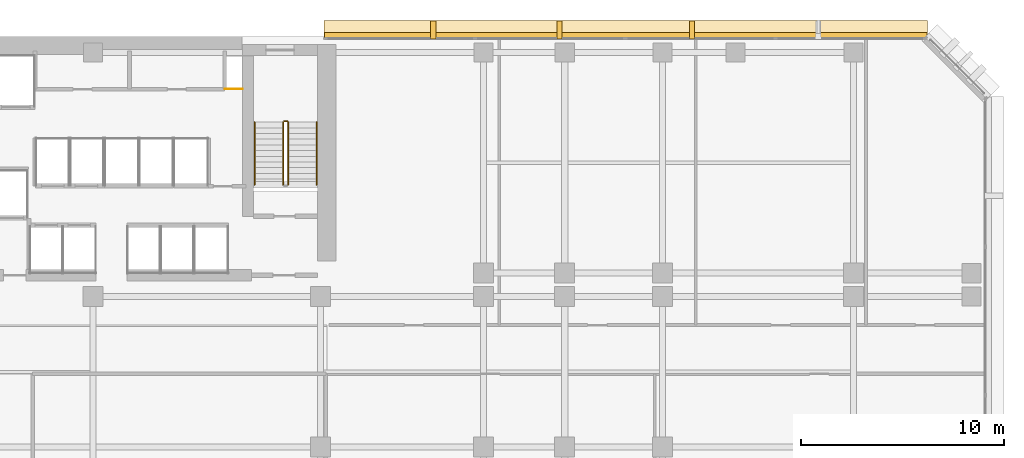
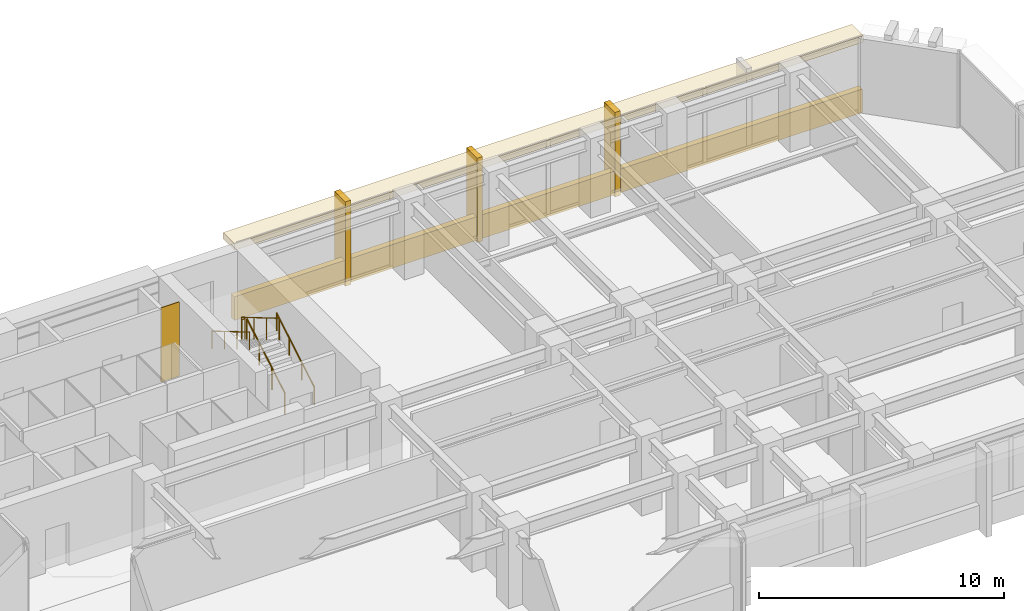
# One storey, part 12 of 13: 6 coverings, 5 railings.
"""IFC4 building model written with IfcOpenShell, lengths in metres."""

from ifc_helpers import new_model, si_unit, direction, frame, origin, origin_2d, place, context, subcontext, project, spatial, polyline, rectangle, circle, outline, extrude, material, layer, layer_set, type_object, element, save


model = new_model("IFC4")

# Units and contexts
model_context = context("Model", 3, precision=1e-05, world=origin(), true_north=direction((0.0, 1.0)))
body_context = subcontext(model_context, "Body", "Model", "MODEL_VIEW")
ifc_project = project(units=[si_unit("LENGTHUNIT", "METRE"), si_unit("AREAUNIT", "SQUARE_METRE"), si_unit("VOLUMEUNIT", "CUBIC_METRE"), si_unit("PLANEANGLEUNIT", "RADIAN"), si_unit("MASSUNIT", "GRAM", prefix="KILO")], contexts=[model_context])

# Site, building, storey
site_placement = place(None, origin())
site = spatial("IfcSite", under=ifc_project, at=site_placement, CompositionType="ELEMENT")
building_placement = place(site_placement, origin())
building = spatial("IfcBuilding", under=site, at=building_placement, Name="Kefirva Bronze Tower", CompositionType="ELEMENT")
storey_placement = place(building_placement, frame((0.0, 0.0, 46.199951171875)))
storey = spatial("IfcBuildingStorey", under=building, at=storey_placement, Name="L10", CompositionType="ELEMENT", Elevation=46.199951171875)

# Coverings
ifc_material_1 = material(Name="Bronze anodised aluminium", Category="aluminium")
ifc_layer_1 = layer(ifc_material_1, 0.02001953125, Name="Bronze anodised aluminium")
ifc_layer_set_1 = layer_set([ifc_layer_1], Name="Bronze anodised aluminium")
covering_type_1 = type_object("IfcCoveringType", Name="Anodised Bronze Spandrel Cladding 20mm", PredefinedType="CLADDING", material=ifc_layer_set_1)
covering_1_placement = place(storey_placement, frame((38.202392578125, 46.0400390625, -0.16015625), z_axis=(0.0, 0.0, 1.0), x_axis=(-1.0, 0.0, 0.0)))
element("IfcCovering", 1, at=covering_1_placement, inside=storey, type_object=covering_type_1, Name="L10 Streamline Horizontal Spandrel Band 8", PredefinedType="CLADDING", context=body_context, shape_type="SweptSolid", body=[
    extrude(rectangle(XDim=29.635009765625, YDim=0.280029296875, at=origin_2d()), origin(), (0.0, 0.0, 1.0), 1.179931640625),
])
covering_2_placement = place(storey_placement, origin())
element("IfcCovering", 2, at=covering_2_placement, inside=storey, type_object=covering_type_1, Name="L10 Core MEP Riser Shaft Liner South", PredefinedType="CLADDING", context=body_context, shape_type="SweptSolid", body=[
    extrude(outline(polyline([(18.47998046875, 43.39990234375), (19.360107421875, 43.39990234375), (19.360107421875, 43.429931640625), (18.47998046875, 43.429931640625), (18.47998046875, 43.39990234375)])), origin(), (0.0, 0.0, 1.0), 3.7099609375),
])

# Railings
ifc_material_2 = material(Name="Stainless steel 316", Category="steel")
railing_type_1 = type_object("IfcRailingType", Name="Interior Stair Guardrail 1100mm", PredefinedType="GUARDRAIL", material=ifc_material_2)
railing_1_placement = place(storey_placement, frame((21.60009765625, 38.699951171875, 0.1650390625)))
element("IfcRailing", 3, at=railing_1_placement, inside=storey, type_object=railing_type_1, Name="L10 ST-2 stair guard 1", PredefinedType="GUARDRAIL", context=body_context, shape_type="SweptSolid", body=[
    extrude(circle(Radius=0.02392578125, at=origin_2d()), frame((0.0, 0.0, 1.076171875), z_axis=(0.0, 0.861551262678, 0.507670583921), x_axis=(-1.0, 0.0, 0.0)), (0.0, 0.0, 1.0), 3.574951171875),
    extrude(circle(Radius=0.02099609375, at=origin_2d()), origin(), (0.0, 0.0, 1.0), 1.052001953125),
    extrude(circle(Radius=0.02099609375, at=origin_2d()), frame((0.0, 1.026611328125, 0.60498046875)), (0.0, 0.0, 1.0), 1.052001953125),
    extrude(circle(Radius=0.02099609375, at=origin_2d()), frame((0.0, 2.053466796875, 1.2099609375)), (0.0, 0.0, 1.0), 1.052001953125),
    extrude(circle(Radius=0.02099609375, at=origin_2d()), frame((0.0, 3.080078125, 1.81494140625)), (0.0, 0.0, 1.0), 1.052001953125),
])
railing_2_placement = place(storey_placement, frame((21.550048828125, 41.830078125, 1.97998046875)))
element("IfcRailing", 4, at=railing_2_placement, inside=storey, type_object=railing_type_1, Name="L10 ST-2 stair guard 2", PredefinedType="GUARDRAIL", context=body_context, shape_type="SweptSolid", body=[
    extrude(circle(Radius=0.02392578125, at=origin_2d()), frame((0.0, 0.0, 1.076171875), z_axis=(-1.0, 0.0, 0.0), x_axis=(0.0, -1.0, 0.0)), (0.0, 0.0, 1.0), 0.150146484375),
    extrude(circle(Radius=0.02099609375, at=origin_2d()), origin(), (0.0, 0.0, 1.0), 1.052001953125),
    extrude(circle(Radius=0.02099609375, at=origin_2d()), frame((-0.150146484375, 0.0, 0.0)), (0.0, 0.0, 1.0), 1.052001953125),
])
railing_3_placement = place(storey_placement, frame((21.35009765625, 41.780029296875, 2.14501953125)))
element("IfcRailing", 5, at=railing_3_placement, inside=storey, type_object=railing_type_1, Name="L10 ST-2 stair guard 3", PredefinedType="GUARDRAIL", context=body_context, shape_type="SweptSolid", body=[
    extrude(circle(Radius=0.02392578125, at=origin_2d()), frame((0.0, 0.0, 1.076171875), z_axis=(0.0, -0.861551262678, 0.507670583921), x_axis=(1.0, 0.0, 0.0)), (0.0, 0.0, 1.0), 3.574951171875),
    extrude(circle(Radius=0.02099609375, at=origin_2d()), origin(), (0.0, 0.0, 1.0), 1.052001953125),
    extrude(circle(Radius=0.02099609375, at=origin_2d()), frame((0.0, -1.026611328125, 0.60498046875)), (0.0, 0.0, 1.0), 1.052001953125),
    extrude(circle(Radius=0.02099609375, at=origin_2d()), frame((0.0, -2.053466796875, 1.2099609375)), (0.0, 0.0, 1.0), 1.052001953125),
    extrude(circle(Radius=0.02099609375, at=origin_2d()), frame((0.0, -3.080078125, 1.81494140625)), (0.0, 0.0, 1.0), 1.052001953125),
])
railing_type_2 = type_object("IfcRailingType", Name="Stair Pitch Handrail 900mm", PredefinedType="HANDRAIL", material=ifc_material_2)
railing_4_placement = place(storey_placement, frame((23.0, 38.699951171875, 0.1650390625)))
element("IfcRailing", 6, at=railing_4_placement, inside=storey, type_object=railing_type_2, Name="L10 ST-2 stair handrail 1", PredefinedType="HANDRAIL", context=body_context, shape_type="SweptSolid", body=[
    extrude(circle(Radius=0.02392578125, at=origin_2d()), frame((0.0, 0.0, 0.8759765625), z_axis=(0.0, 0.861551262678, 0.507670583921), x_axis=(-1.0, 0.0, 0.0)), (0.0, 0.0, 1.0), 3.574951171875),
    extrude(circle(Radius=0.02099609375, at=origin_2d()), origin(), (0.0, 0.0, 1.0), 0.851806640625),
    extrude(circle(Radius=0.02099609375, at=origin_2d()), frame((0.0, 1.026611328125, 0.60498046875)), (0.0, 0.0, 1.0), 0.851806640625),
    extrude(circle(Radius=0.02099609375, at=origin_2d()), frame((0.0, 2.053466796875, 1.2099609375)), (0.0, 0.0, 1.0), 0.851806640625),
    extrude(circle(Radius=0.02099609375, at=origin_2d()), frame((0.0, 3.080078125, 1.81494140625)), (0.0, 0.0, 1.0), 0.851806640625),
])
railing_5_placement = place(storey_placement, frame((19.949951171875, 41.780029296875, 2.14501953125)))
element("IfcRailing", 7, at=railing_5_placement, inside=storey, type_object=railing_type_2, Name="L10 ST-2 stair handrail 2", PredefinedType="HANDRAIL", context=body_context, shape_type="SweptSolid", body=[
    extrude(circle(Radius=0.02392578125, at=origin_2d()), frame((0.0, 0.0, 0.8759765625), z_axis=(0.0, -0.861551262678, 0.507670583921), x_axis=(1.0, 0.0, 0.0)), (0.0, 0.0, 1.0), 3.574951171875),
    extrude(circle(Radius=0.02099609375, at=origin_2d()), origin(), (0.0, 0.0, 1.0), 0.851806640625),
    extrude(circle(Radius=0.02099609375, at=origin_2d()), frame((0.0, -1.026611328125, 0.60498046875)), (0.0, 0.0, 1.0), 0.851806640625),
    extrude(circle(Radius=0.02099609375, at=origin_2d()), frame((0.0, -2.053466796875, 1.2099609375)), (0.0, 0.0, 1.0), 0.851806640625),
    extrude(circle(Radius=0.02099609375, at=origin_2d()), frame((0.0, -3.080078125, 1.81494140625)), (0.0, 0.0, 1.0), 0.851806640625),
])

# Coverings
ifc_layer_2 = layer(ifc_material_1, 0.179931640625, Name="Bronze anodised aluminium")
ifc_layer_set_2 = layer_set([ifc_layer_2], Name="Bronze anodised aluminium")
covering_type_2 = type_object("IfcCoveringType", Name="Streamline Bronze Sunshade Eyebrow Cladding 180mm", PredefinedType="CLADDING", material=ifc_layer_set_2)
covering_3_placement = place(storey_placement, frame((38.202392578125, 46.31005859375, 3.39013671875), z_axis=(0.0, 0.0, 1.0), x_axis=(-1.0, 0.0, 0.0)))
element("IfcCovering", 8, at=covering_3_placement, inside=storey, type_object=covering_type_2, Name="L10 Streamline Bronze Sunshade Eyebrow 8", PredefinedType="CLADDING", context=body_context, shape_type="SweptSolid", body=[
    extrude(rectangle(XDim=29.675048828125, YDim=0.93994140625, at=origin_2d()), origin(), (0.0, 0.0, 1.0), 0.320068359375),
])
ifc_layer_3 = layer(ifc_material_1, 0.260009765625, Name="Bronze anodised aluminium")
ifc_layer_set_3 = layer_set([ifc_layer_3], Name="Bronze anodised aluminium")
covering_type_3 = type_object("IfcCoveringType", Name="Unbroken Bronze Buttress Fin Cladding 260mm", PredefinedType="CLADDING", material=ifc_layer_set_3)
for number, where, z_axis, x_axis, name in (
    (9, (41.4580078125, 46.300048828125, -0.25), (0.0, 0.0, 1.0), (-1.0, 0.0, 0.0), "L10 Unbroken Vertical Bronze Rib Fin 20"),
    (10, (34.947021484375, 46.300048828125, -0.25), (0.0, 0.0, 1.0), (-1.0, 0.0, 0.0), "L10 Unbroken Vertical Bronze Rib Fin 21"),
    (11, (28.732177734375, 46.300048828125, -0.25), (0.0, 0.0, 1.0), (-1.0, 0.0, 0.0), "L10 Unbroken Vertical Bronze Rib Fin 22"),
):
    element("IfcCovering", number, at=place(storey_placement, frame(where, z_axis=z_axis, x_axis=x_axis)), inside=storey, type_object=covering_type_3, Name=name, PredefinedType="CLADDING", context=body_context, shape_type="SweptSolid", body=[
        extrude(rectangle(XDim=0.260009765625, YDim=0.8798828125, at=origin_2d()), origin(), (0.0, 0.0, 1.0), 4.2099609375),
    ])

save(model, "model.ifc")
